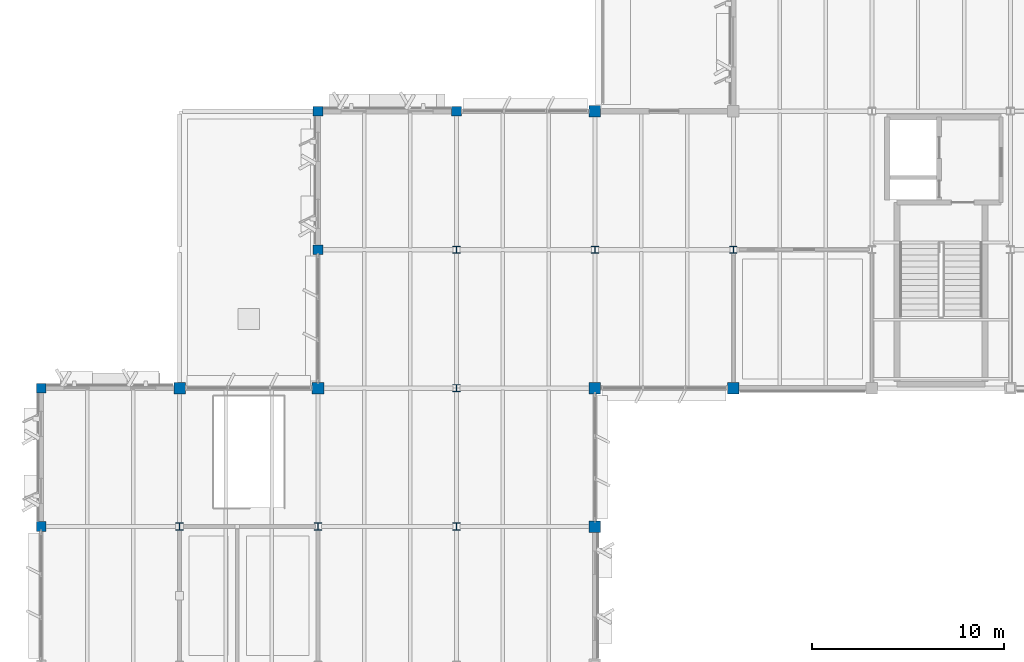
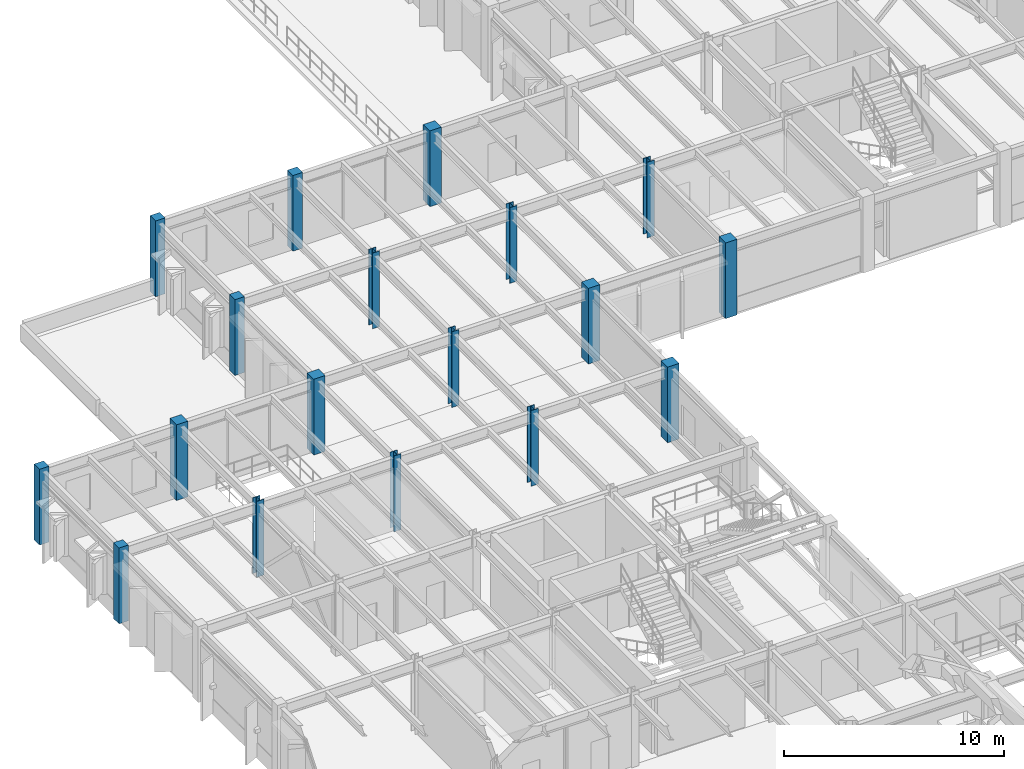
# One storey, part 9 of 85: 18 columns.
"""IFC4 building model written with IfcOpenShell, lengths in metres."""

from ifc_helpers import new_model, si_unit, direction, frame, origin, origin_2d, place, context, subcontext, project, spatial, rectangle, i_section, extrude, material, material_profile, profile_set, type_object, element, save


model = new_model("IFC4")

# Units and contexts
model_context = context("Model", 3, precision=1e-05, world=origin(), true_north=direction((0.0, 1.0)))
body_context = subcontext(model_context, "Body", "Model", "MODEL_VIEW")
ifc_project = project(units=[si_unit("LENGTHUNIT", "METRE"), si_unit("AREAUNIT", "SQUARE_METRE"), si_unit("VOLUMEUNIT", "CUBIC_METRE"), si_unit("PLANEANGLEUNIT", "RADIAN"), si_unit("MASSUNIT", "GRAM", prefix="KILO")], contexts=[model_context])

# Site, building, storey
site_placement = place(None, origin())
site = spatial("IfcSite", under=ifc_project, at=site_placement, CompositionType="ELEMENT")
building_placement = place(site_placement, origin())
building = spatial("IfcBuilding", under=site, at=building_placement, Name="Sillqori Civic Hall", CompositionType="ELEMENT")
storey_placement = place(building_placement, frame((0.0, 0.0, 9.89990234375)))
storey = spatial("IfcBuildingStorey", under=building, at=storey_placement, Name="L03", CompositionType="ELEMENT", Elevation=9.89990234375)

# Columns
ifc_material_1 = material(Name="Concrete C35/45 (H35)", Category="concrete")
ifc_material_profile_1 = material_profile(ifc_material_1, rectangle(XDim=0.5, YDim=0.5, at=origin_2d()), Name="RC 500x500")
ifc_profile_set_1 = profile_set([ifc_material_profile_1], Name="Concrete C35/45 (H35)")
column_type_1 = type_object("IfcColumnType", Name="COL-RC500", PredefinedType="COLUMN", material=ifc_profile_set_1)
for number, where, z_axis, x_axis, name in (
    (1, (7.199951171875, 72.0, 0.0), (0.0, 0.0, 1.0), (1.0, 0.0, 0.0), "L03 column 1-10"),
    (2, (7.199951171875, 79.199951171875, 0.0), (0.0, 0.0, 1.0), (1.0, 0.0, 0.0), "L03 column 1-11"),
    (3, (21.60009765625, 86.39990234375, 0.0), (0.0, 0.0, 1.0), (1.0, 0.0, 0.0), "L03 column 3-12"),
    (4, (21.60009765625, 93.60009765625, 0.0), (0.0, 0.0, 1.0), (1.0, 0.0, 0.0), "L03 column 3-13"),
    (5, (28.800048828125, 93.60009765625, 0.0), (0.0, 0.0, 1.0), (1.0, 0.0, 0.0), "L03 column 4-13"),
):
    element("IfcColumn", number, at=place(storey_placement, frame(where, z_axis=z_axis, x_axis=x_axis)), inside=storey, type_object=column_type_1, Name=name, PredefinedType="COLUMN", context=body_context, shape_type="SweptSolid", body=[
        extrude(rectangle(XDim=0.5, YDim=0.5, at=origin_2d()), origin(), (0.0, 0.0, 1.0), 4.2001953125),
    ])
ifc_material_profile_2 = material_profile(ifc_material_1, rectangle(XDim=0.60009765625, YDim=0.60009765625, at=origin_2d()), Name="RC 600x600")
ifc_profile_set_2 = profile_set([ifc_material_profile_2], Name="Concrete C35/45 (H35)")
column_type_2 = type_object("IfcColumnType", Name="COL-RC600", PredefinedType="COLUMN", material=ifc_profile_set_2)
for number, where, z_axis, x_axis, name in (
    (6, (14.39990234375, 79.199951171875, 0.0), (0.0, 0.0, 1.0), (1.0, 0.0, 0.0), "L03 column 2-11"),
    (7, (21.60009765625, 79.199951171875, 0.0), (0.0, 0.0, 1.0), (1.0, 0.0, 0.0), "L03 column 3-11"),
    (8, (36.0, 72.0, 0.0), (0.0, 0.0, 1.0), (1.0, 0.0, 0.0), "L03 column 5-10"),
    (9, (36.0, 79.199951171875, 0.0), (0.0, 0.0, 1.0), (1.0, 0.0, 0.0), "L03 column 5-11"),
    (10, (36.0, 93.60009765625, 0.0), (0.0, 0.0, 1.0), (1.0, 0.0, 0.0), "L03 column 5-13"),
    (11, (43.199951171875, 79.199951171875, 0.0), (0.0, 0.0, 1.0), (1.0, 0.0, 0.0), "L03 column 6-11"),
):
    element("IfcColumn", number, at=place(storey_placement, frame(where, z_axis=z_axis, x_axis=x_axis)), inside=storey, type_object=column_type_2, Name=name, PredefinedType="COLUMN", context=body_context, shape_type="SweptSolid", body=[
        extrude(rectangle(XDim=0.60009765625, YDim=0.60009765625, at=origin_2d()), origin(), (0.0, 0.0, 1.0), 4.2001953125),
    ])
ifc_material_2 = material(Name="Steel ASTM A992", Category="steel")
ifc_material_profile_3 = material_profile(ifc_material_2, i_section(OverallWidth=0.373046875, OverallDepth=0.367919921875, WebThickness=0.014892578125, FlangeThickness=0.02392578125, FilletRadius=0.014892578125, at=origin_2d()), Name="W14X120")
ifc_profile_set_3 = profile_set([ifc_material_profile_3], Name="Steel ASTM A992")
column_type_3 = type_object("IfcColumnType", Name="COL-W14X120", PredefinedType="COLUMN", material=ifc_profile_set_3)
for number, where, z_axis, x_axis, name in (
    (12, (14.39990234375, 72.0, 0.0), (0.0, 0.0, 1.0), (1.0, 0.0, 0.0), "L03 column 2-10"),
    (13, (21.60009765625, 72.0, 0.0), (0.0, 0.0, 1.0), (1.0, 0.0, 0.0), "L03 column 3-10"),
    (14, (28.800048828125, 72.0, 0.0), (0.0, 0.0, 1.0), (1.0, 0.0, 0.0), "L03 column 4-10"),
    (15, (28.800048828125, 79.199951171875, 0.0), (0.0, 0.0, 1.0), (1.0, 0.0, 0.0), "L03 column 4-11"),
    (16, (36.0, 86.39990234375, 0.0), (0.0, 0.0, 1.0), (1.0, 0.0, 0.0), "L03 column 5-12"),
    (17, (43.199951171875, 86.39990234375, 0.0), (0.0, 0.0, 1.0), (1.0, 0.0, 0.0), "L03 column 6-12"),
):
    element("IfcColumn", number, at=place(storey_placement, frame(where, z_axis=z_axis, x_axis=x_axis)), inside=storey, type_object=column_type_3, Name=name, PredefinedType="COLUMN", context=body_context, shape_type="SweptSolid", body=[
        extrude(i_section(OverallWidth=0.373046875, OverallDepth=0.367919921875, WebThickness=0.014892578125, FlangeThickness=0.02392578125, FilletRadius=0.014892578125, at=origin_2d()), origin(), (0.0, 0.0, 1.0), 4.2001953125),
    ])
ifc_material_profile_4 = material_profile(ifc_material_2, i_section(OverallWidth=0.37109375, OverallDepth=0.361083984375, WebThickness=0.012451171875, FlangeThickness=0.019775390625, FilletRadius=0.014892578125, at=origin_2d()), Name="W14X99")
ifc_profile_set_4 = profile_set([ifc_material_profile_4], Name="Steel ASTM A992")
column_type_4 = type_object("IfcColumnType", Name="COL-W14X99", PredefinedType="COLUMN", material=ifc_profile_set_4)
column_placement = place(storey_placement, frame((28.800048828125, 86.39990234375, 0.0), z_axis=(0.0, 0.0, 1.0), x_axis=(1.0, 0.0, 0.0)))
element("IfcColumn", 18, at=column_placement, inside=storey, type_object=column_type_4, Name="L03 column 4-12", PredefinedType="COLUMN", context=body_context, shape_type="SweptSolid", body=[
    extrude(i_section(OverallWidth=0.37109375, OverallDepth=0.361083984375, WebThickness=0.012451171875, FlangeThickness=0.019775390625, FilletRadius=0.014892578125, at=origin_2d()), origin(), (0.0, 0.0, 1.0), 4.2001953125),
])

save(model, "model.ifc")
